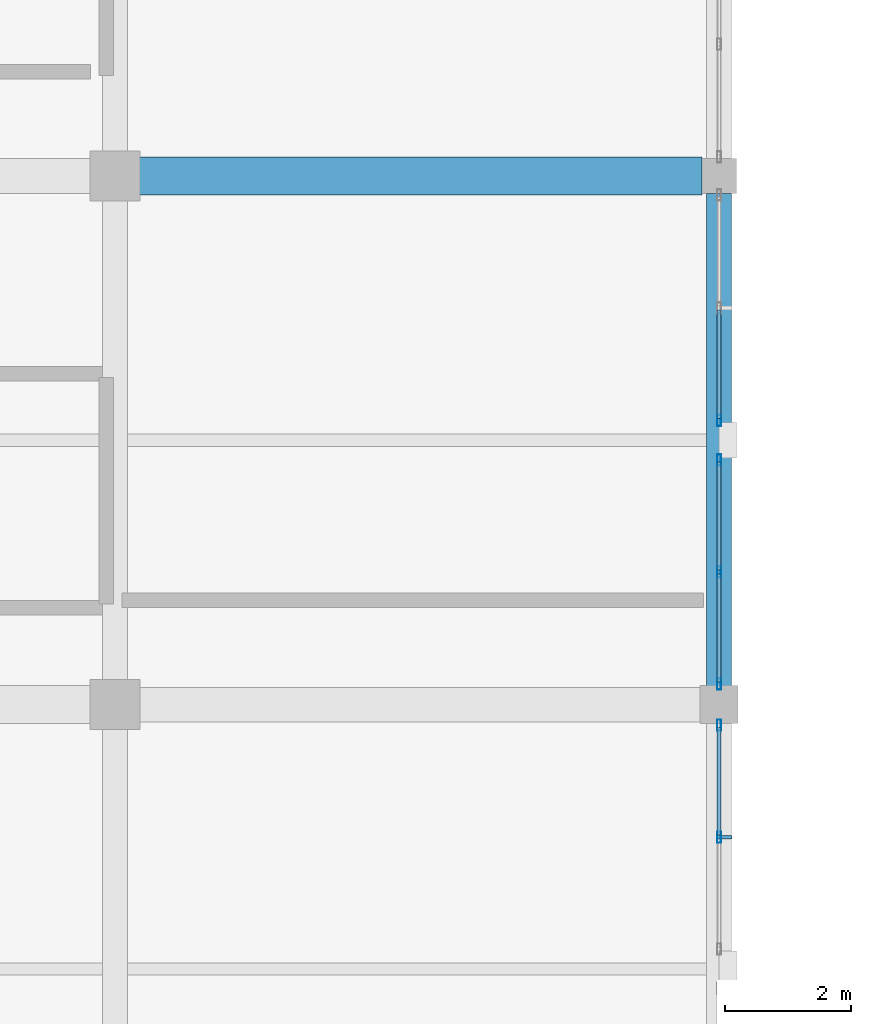
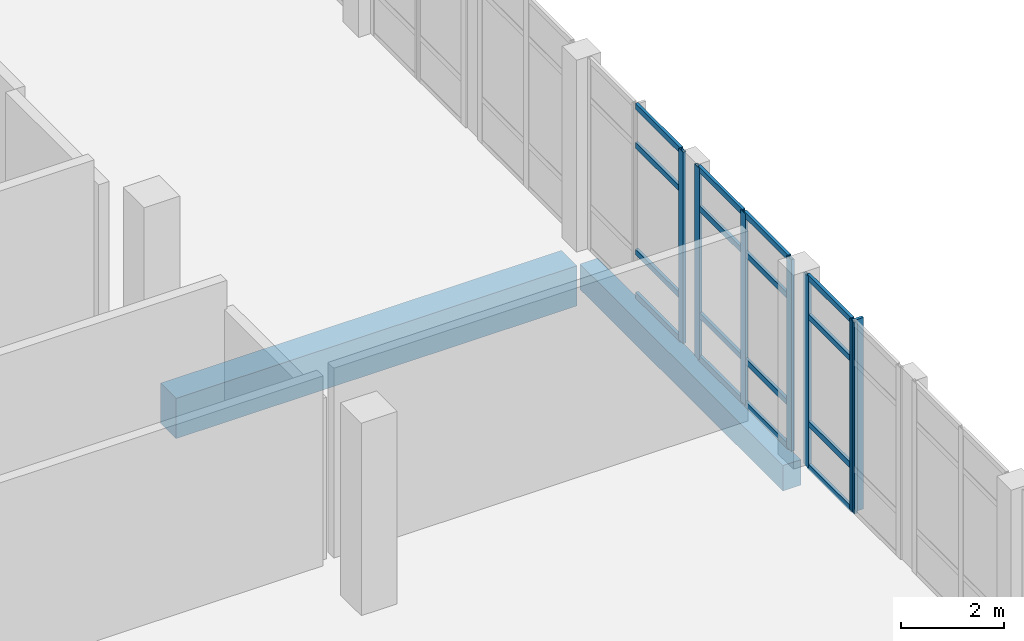
# One storey, part 67 of 102: 23 members, 2 beams, 3 elements without a shape of their own.
"""IFC4 building model written with IfcOpenShell, lengths in metres."""

from ifc_helpers import new_model, si_unit, direction, frame, origin, origin_2d, place, context, subcontext, project, spatial, rectangle, hollow_rectangle, extrude, material, layer, layer_set, material_profile, profile_set, type_object, element, aggregate, save


model = new_model("IFC4")

# Units and contexts
model_context = context("Model", 3, precision=1e-05, world=origin(), true_north=direction((0.0, 1.0)))
body_context = subcontext(model_context, "Body", "Model", "MODEL_VIEW")
ifc_project = project(units=[si_unit("LENGTHUNIT", "METRE"), si_unit("AREAUNIT", "SQUARE_METRE"), si_unit("VOLUMEUNIT", "CUBIC_METRE"), si_unit("PLANEANGLEUNIT", "RADIAN"), si_unit("MASSUNIT", "GRAM", prefix="KILO")], contexts=[model_context])

# Site, building, storey
site_placement = place(None, origin())
site = spatial("IfcSite", under=ifc_project, at=site_placement, CompositionType="ELEMENT")
building_placement = place(site_placement, origin())
building = spatial("IfcBuilding", under=site, at=building_placement, Name="Lornevale Opera House", CompositionType="ELEMENT")
storey_placement = place(building_placement, frame((0.0, 0.0, 5.39990234375)))
storey = spatial("IfcBuildingStorey", under=building, at=storey_placement, Name="L02", CompositionType="ELEMENT", Elevation=5.39990234375)

# Beams
ifc_material_1 = material(Name="Concrete 35 MPa (CSA A23.1 N)", Category="concrete")
ifc_material_profile_1 = material_profile(ifc_material_1, rectangle(XDim=0.60009765625, YDim=0.949951171875, at=origin_2d()), Name="RC600x950")
ifc_profile_set_1 = profile_set([ifc_material_profile_1], Name="Concrete 35 MPa (CSA A23.1 N)")
beam_type_1 = type_object("IfcBeamType", Name="Concrete Primary Girder 600x950", PredefinedType="USERDEFINED", material=ifc_profile_set_1)
beam_1_placement = place(storey_placement, frame((144.375, 58.800048828125, -0.77490234375), z_axis=(1.0, 0.0, 0.0), x_axis=(0.0, 1.0, 0.0)))
element("IfcBeam", 1, at=beam_1_placement, inside=storey, type_object=beam_type_1, Name="Concrete Primary Girder 600x950 1755", ObjectType="GIRDER", PredefinedType="USERDEFINED", context=body_context, shape_type="SweptSolid", body=[
    extrude(rectangle(XDim=0.60009765625, YDim=0.949951171875, at=origin_2d()), origin(), (0.0, 0.0, 1.0), 8.949951171875),
])
ifc_material_profile_2 = material_profile(ifc_material_1, rectangle(XDim=0.39990234375, YDim=0.60009765625, at=origin_2d()), Name="RC400x600")
ifc_profile_set_2 = profile_set([ifc_material_profile_2], Name="Concrete 35 MPa (CSA A23.1 N)")
beam_type_2 = type_object("IfcBeamType", Name="Concrete Spandrel Beam 400x600", PredefinedType="SPANDREL", material=ifc_profile_set_2)
beam_2_placement = place(storey_placement, frame((153.60009765625, 50.675048828125, -0.599853515625), z_axis=(0.0, 1.0, 0.0), x_axis=(-1.0, 0.0, 0.0)))
element("IfcBeam", 2, at=beam_2_placement, inside=storey, type_object=beam_type_2, Name="Concrete Spandrel Beam 400x600 1974", PredefinedType="SPANDREL", context=body_context, shape_type="SweptSolid", body=[
    extrude(rectangle(XDim=0.39990234375, YDim=0.60009765625, at=origin_2d()), origin(), (0.0, 0.0, 1.0), 7.849853515625),
])

# Curtain wall, members
ifc_material_2 = material(Name="Anodized Oxide-Green Aluminium Framing", Category="aluminium")
ifc_layer = layer(ifc_material_2, 0.179931640625)
ifc_layer_set = layer_set([ifc_layer], Name="Anodized Oxide-Green Aluminium Framing")
curtain_wall_type = type_object("IfcCurtainWallType", Name="Promenade Gallery Curtain Wall M1800", PredefinedType="NOTDEFINED", material=ifc_layer_set)
curtain_wall_1_placement = place(storey_placement, origin())
curtain_wall_1 = element("IfcCurtainWall", 3, at=curtain_wall_1_placement, inside=storey, type_object=curtain_wall_type, Name="Promenade Gallery Curtain Wall M1800 CW-084", PredefinedType="NOTDEFINED")
ifc_material_profile_3 = material_profile(ifc_material_2, hollow_rectangle(XDim=0.06494140625, YDim=0.179931640625, WallThickness=0.0048828125, at=origin_2d()), Name="ALU65x180x5")
ifc_profile_set_3 = profile_set([ifc_material_profile_3], Name="Anodized Oxide-Green Aluminium Framing")
member_type_1 = type_object("IfcMemberType", Name="Curtain Wall Mullion 65x180", PredefinedType="MULLION", material=ifc_profile_set_3)
member_1_placement = place(storey_placement, frame((153.60009765625, 50.071533203125, 0.0), z_axis=(0.0, 0.0, 1.0), x_axis=(1.0, 0.0, 0.0)))
member_1 = element("IfcMember", 4, at=member_1_placement, type_object=member_type_1, Name="Curtain Wall Mullion 65x180 CW1684", PredefinedType="MULLION", context=body_context, shape_type="SweptSolid", body=[
    extrude(hollow_rectangle(XDim=0.06494140625, YDim=0.179931640625, WallThickness=0.0048828125, at=origin_2d()), origin(), (0.0, 0.0, 1.0), 4.52001953125),
])
member_2_placement = place(storey_placement, frame((153.60009765625, 48.2919921875, 0.0), z_axis=(0.0, 0.0, 1.0), x_axis=(1.0, 0.0, 0.0)))
member_2 = element("IfcMember", 5, at=member_2_placement, type_object=member_type_1, Name="Curtain Wall Mullion 65x180 CW1685", PredefinedType="MULLION", context=body_context, shape_type="SweptSolid", body=[
    extrude(hollow_rectangle(XDim=0.06494140625, YDim=0.179931640625, WallThickness=0.0048828125, at=origin_2d()), origin(), (0.0, 0.0, 1.0), 4.52001953125),
])

# Curtain wall, member
curtain_wall_2_placement = place(storey_placement, origin())
curtain_wall_2 = element("IfcCurtainWall", 6, at=curtain_wall_2_placement, inside=storey, type_object=curtain_wall_type, Name="Promenade Gallery Curtain Wall M1800 CW-086", PredefinedType="NOTDEFINED")
member_3_placement = place(storey_placement, frame((153.60009765625, 54.91259765625, 0.0), z_axis=(0.0, 0.0, 1.0), x_axis=(1.0, 0.0, 0.0)))
member_3 = element("IfcMember", 7, at=member_3_placement, type_object=member_type_1, Name="Curtain Wall Mullion 65x180 CW1720", PredefinedType="MULLION", context=body_context, shape_type="SweptSolid", body=[
    extrude(hollow_rectangle(XDim=0.06494140625, YDim=0.179931640625, WallThickness=0.0048828125, at=origin_2d()), origin(), (0.0, 0.0, 1.0), 4.52001953125),
])

# Curtain wall, members
curtain_wall_3_placement = place(storey_placement, origin())
curtain_wall_3 = element("IfcCurtainWall", 8, at=curtain_wall_3_placement, inside=storey, type_object=curtain_wall_type, Name="Promenade Gallery Curtain Wall M1800 CW-087", PredefinedType="NOTDEFINED")
member_4_placement = place(storey_placement, frame((153.60009765625, 54.28759765625, 0.0), z_axis=(0.0, 0.0, 1.0), x_axis=(1.0, 0.0, 0.0)))
member_4 = element("IfcMember", 9, at=member_4_placement, type_object=member_type_1, Name="Curtain Wall Mullion 65x180 CW1735", PredefinedType="MULLION", context=body_context, shape_type="SweptSolid", body=[
    extrude(hollow_rectangle(XDim=0.06494140625, YDim=0.179931640625, WallThickness=0.0048828125, at=origin_2d()), origin(), (0.0, 0.0, 1.0), 4.52001953125),
])
member_5_placement = place(storey_placement, frame((153.60009765625, 52.508056640625, 0.0), z_axis=(0.0, 0.0, 1.0), x_axis=(1.0, 0.0, 0.0)))
member_5 = element("IfcMember", 10, at=member_5_placement, type_object=member_type_1, Name="Curtain Wall Mullion 65x180 CW1736", PredefinedType="MULLION", context=body_context, shape_type="SweptSolid", body=[
    extrude(hollow_rectangle(XDim=0.06494140625, YDim=0.179931640625, WallThickness=0.0048828125, at=origin_2d()), origin(), (0.0, 0.0, 1.0), 4.52001953125),
])
member_6_placement = place(storey_placement, frame((153.60009765625, 50.728515625, 0.0), z_axis=(0.0, 0.0, 1.0), x_axis=(1.0, 0.0, 0.0)))
member_6 = element("IfcMember", 11, at=member_6_placement, type_object=member_type_1, Name="Curtain Wall Mullion 65x180 CW1737", PredefinedType="MULLION", context=body_context, shape_type="SweptSolid", body=[
    extrude(hollow_rectangle(XDim=0.06494140625, YDim=0.179931640625, WallThickness=0.0048828125, at=origin_2d()), origin(), (0.0, 0.0, 1.0), 4.52001953125),
])

# Member
ifc_material_profile_4 = material_profile(ifc_material_2, hollow_rectangle(XDim=0.06494140625, YDim=0.135009765625, WallThickness=0.00390625, at=origin_2d()), Name="ALU65x135x4")
ifc_profile_set_4 = profile_set([ifc_material_profile_4], Name="Anodized Oxide-Green Aluminium Framing")
member_type_2 = type_object("IfcMemberType", Name="Curtain Wall Transom 65x135", PredefinedType="USERDEFINED", material=ifc_profile_set_4)
member_7_placement = place(storey_placement, frame((153.60009765625, 50.0390625, 0.03271484375), z_axis=(0.0, -1.0, 0.0), x_axis=(1.0, 0.0, 0.0)))
member_7 = element("IfcMember", 12, at=member_7_placement, type_object=member_type_2, Name="Curtain Wall Transom 65x135 CW1687", ObjectType="TRANSOM", PredefinedType="USERDEFINED", context=body_context, shape_type="SweptSolid", body=[
    extrude(hollow_rectangle(XDim=0.06494140625, YDim=0.135009765625, WallThickness=0.00390625, at=origin_2d()), origin(), (0.0, 0.0, 1.0), 1.714599609375),
])

member_8_placement = place(storey_placement, frame((153.60009765625, 50.0390625, 1.050048828125), z_axis=(0.0, -1.0, 0.0), x_axis=(1.0, 0.0, 0.0)))
member_8 = element("IfcMember", 13, at=member_8_placement, type_object=member_type_2, Name="Curtain Wall Transom 65x135 CW1688", ObjectType="TRANSOM", PredefinedType="USERDEFINED", context=body_context, shape_type="SweptSolid", body=[
    extrude(hollow_rectangle(XDim=0.06494140625, YDim=0.135009765625, WallThickness=0.00390625, at=origin_2d()), origin(), (0.0, 0.0, 1.0), 1.714599609375),
])

member_9_placement = place(storey_placement, frame((153.60009765625, 50.0390625, 3.570068359375), z_axis=(0.0, -1.0, 0.0), x_axis=(1.0, 0.0, 0.0)))
member_9 = element("IfcMember", 14, at=member_9_placement, type_object=member_type_2, Name="Curtain Wall Transom 65x135 CW1689", ObjectType="TRANSOM", PredefinedType="USERDEFINED", context=body_context, shape_type="SweptSolid", body=[
    extrude(hollow_rectangle(XDim=0.06494140625, YDim=0.135009765625, WallThickness=0.00390625, at=origin_2d()), origin(), (0.0, 0.0, 1.0), 1.714599609375),
])

member_10_placement = place(storey_placement, frame((153.60009765625, 50.0390625, 4.487548828125), z_axis=(0.0, -1.0, 0.0), x_axis=(1.0, 0.0, 0.0)))
member_10 = element("IfcMember", 15, at=member_10_placement, type_object=member_type_2, Name="Curtain Wall Transom 65x135 CW1690", ObjectType="TRANSOM", PredefinedType="USERDEFINED", context=body_context, shape_type="SweptSolid", body=[
    extrude(hollow_rectangle(XDim=0.06494140625, YDim=0.135009765625, WallThickness=0.00390625, at=origin_2d()), origin(), (0.0, 0.0, 1.0), 1.714599609375),
])

member_11_placement = place(storey_placement, frame((153.60009765625, 56.672119140625, 0.03271484375), z_axis=(0.0, -1.0, 0.0), x_axis=(1.0, 0.0, 0.0)))
member_11 = element("IfcMember", 16, at=member_11_placement, type_object=member_type_2, Name="Curtain Wall Transom 65x135 CW1728", ObjectType="TRANSOM", PredefinedType="USERDEFINED", context=body_context, shape_type="SweptSolid", body=[
    extrude(hollow_rectangle(XDim=0.06494140625, YDim=0.135009765625, WallThickness=0.00390625, at=origin_2d()), origin(), (0.0, 0.0, 1.0), 1.72705078125),
])

member_12_placement = place(storey_placement, frame((153.60009765625, 56.672119140625, 1.050048828125), z_axis=(0.0, -1.0, 0.0), x_axis=(1.0, 0.0, 0.0)))
member_12 = element("IfcMember", 17, at=member_12_placement, type_object=member_type_2, Name="Curtain Wall Transom 65x135 CW1729", ObjectType="TRANSOM", PredefinedType="USERDEFINED", context=body_context, shape_type="SweptSolid", body=[
    extrude(hollow_rectangle(XDim=0.06494140625, YDim=0.135009765625, WallThickness=0.00390625, at=origin_2d()), origin(), (0.0, 0.0, 1.0), 1.72705078125),
])

member_13_placement = place(storey_placement, frame((153.60009765625, 56.672119140625, 3.570068359375), z_axis=(0.0, -1.0, 0.0), x_axis=(1.0, 0.0, 0.0)))
member_13 = element("IfcMember", 18, at=member_13_placement, type_object=member_type_2, Name="Curtain Wall Transom 65x135 CW1730", ObjectType="TRANSOM", PredefinedType="USERDEFINED", context=body_context, shape_type="SweptSolid", body=[
    extrude(hollow_rectangle(XDim=0.06494140625, YDim=0.135009765625, WallThickness=0.00390625, at=origin_2d()), origin(), (0.0, 0.0, 1.0), 1.72705078125),
])

member_14_placement = place(storey_placement, frame((153.60009765625, 56.672119140625, 4.487548828125), z_axis=(0.0, -1.0, 0.0), x_axis=(1.0, 0.0, 0.0)))
member_14 = element("IfcMember", 19, at=member_14_placement, type_object=member_type_2, Name="Curtain Wall Transom 65x135 CW1731", ObjectType="TRANSOM", PredefinedType="USERDEFINED", context=body_context, shape_type="SweptSolid", body=[
    extrude(hollow_rectangle(XDim=0.06494140625, YDim=0.135009765625, WallThickness=0.00390625, at=origin_2d()), origin(), (0.0, 0.0, 1.0), 1.72705078125),
])

aggregate(curtain_wall_2, [member_3, member_11, member_12, member_13, member_14])

member_15_placement = place(storey_placement, frame((153.60009765625, 54.2548828125, 0.03271484375), z_axis=(0.0, -1.0, 0.0), x_axis=(1.0, 0.0, 0.0)))
member_15 = element("IfcMember", 20, at=member_15_placement, type_object=member_type_2, Name="Curtain Wall Transom 65x135 CW1738", ObjectType="TRANSOM", PredefinedType="USERDEFINED", context=body_context, shape_type="SweptSolid", body=[
    extrude(hollow_rectangle(XDim=0.06494140625, YDim=0.135009765625, WallThickness=0.00390625, at=origin_2d()), origin(), (0.0, 0.0, 1.0), 1.71435546875),
])

member_16_placement = place(storey_placement, frame((153.60009765625, 54.2548828125, 1.050048828125), z_axis=(0.0, -1.0, 0.0), x_axis=(1.0, 0.0, 0.0)))
member_16 = element("IfcMember", 21, at=member_16_placement, type_object=member_type_2, Name="Curtain Wall Transom 65x135 CW1739", ObjectType="TRANSOM", PredefinedType="USERDEFINED", context=body_context, shape_type="SweptSolid", body=[
    extrude(hollow_rectangle(XDim=0.06494140625, YDim=0.135009765625, WallThickness=0.00390625, at=origin_2d()), origin(), (0.0, 0.0, 1.0), 1.71435546875),
])

member_17_placement = place(storey_placement, frame((153.60009765625, 54.2548828125, 3.570068359375), z_axis=(0.0, -1.0, 0.0), x_axis=(1.0, 0.0, 0.0)))
member_17 = element("IfcMember", 22, at=member_17_placement, type_object=member_type_2, Name="Curtain Wall Transom 65x135 CW1740", ObjectType="TRANSOM", PredefinedType="USERDEFINED", context=body_context, shape_type="SweptSolid", body=[
    extrude(hollow_rectangle(XDim=0.06494140625, YDim=0.135009765625, WallThickness=0.00390625, at=origin_2d()), origin(), (0.0, 0.0, 1.0), 1.71435546875),
])

member_18_placement = place(storey_placement, frame((153.60009765625, 54.2548828125, 4.487548828125), z_axis=(0.0, -1.0, 0.0), x_axis=(1.0, 0.0, 0.0)))
member_18 = element("IfcMember", 23, at=member_18_placement, type_object=member_type_2, Name="Curtain Wall Transom 65x135 CW1741", ObjectType="TRANSOM", PredefinedType="USERDEFINED", context=body_context, shape_type="SweptSolid", body=[
    extrude(hollow_rectangle(XDim=0.06494140625, YDim=0.135009765625, WallThickness=0.00390625, at=origin_2d()), origin(), (0.0, 0.0, 1.0), 1.71435546875),
])

member_19_placement = place(storey_placement, frame((153.60009765625, 52.4755859375, 0.03271484375), z_axis=(0.0, -1.0, 0.0), x_axis=(1.0, 0.0, 0.0)))
member_19 = element("IfcMember", 24, at=member_19_placement, type_object=member_type_2, Name="Curtain Wall Transom 65x135 CW1745", ObjectType="TRANSOM", PredefinedType="USERDEFINED", context=body_context, shape_type="SweptSolid", body=[
    extrude(hollow_rectangle(XDim=0.06494140625, YDim=0.135009765625, WallThickness=0.00390625, at=origin_2d()), origin(), (0.0, 0.0, 1.0), 1.714599609375),
])

member_20_placement = place(storey_placement, frame((153.60009765625, 52.4755859375, 1.050048828125), z_axis=(0.0, -1.0, 0.0), x_axis=(1.0, 0.0, 0.0)))
member_20 = element("IfcMember", 25, at=member_20_placement, type_object=member_type_2, Name="Curtain Wall Transom 65x135 CW1746", ObjectType="TRANSOM", PredefinedType="USERDEFINED", context=body_context, shape_type="SweptSolid", body=[
    extrude(hollow_rectangle(XDim=0.06494140625, YDim=0.135009765625, WallThickness=0.00390625, at=origin_2d()), origin(), (0.0, 0.0, 1.0), 1.714599609375),
])

member_21_placement = place(storey_placement, frame((153.60009765625, 52.4755859375, 3.570068359375), z_axis=(0.0, -1.0, 0.0), x_axis=(1.0, 0.0, 0.0)))
member_21 = element("IfcMember", 26, at=member_21_placement, type_object=member_type_2, Name="Curtain Wall Transom 65x135 CW1747", ObjectType="TRANSOM", PredefinedType="USERDEFINED", context=body_context, shape_type="SweptSolid", body=[
    extrude(hollow_rectangle(XDim=0.06494140625, YDim=0.135009765625, WallThickness=0.00390625, at=origin_2d()), origin(), (0.0, 0.0, 1.0), 1.714599609375),
])

member_22_placement = place(storey_placement, frame((153.60009765625, 52.4755859375, 4.487548828125), z_axis=(0.0, -1.0, 0.0), x_axis=(1.0, 0.0, 0.0)))
member_22 = element("IfcMember", 27, at=member_22_placement, type_object=member_type_2, Name="Curtain Wall Transom 65x135 CW1748", ObjectType="TRANSOM", PredefinedType="USERDEFINED", context=body_context, shape_type="SweptSolid", body=[
    extrude(hollow_rectangle(XDim=0.06494140625, YDim=0.135009765625, WallThickness=0.00390625, at=origin_2d()), origin(), (0.0, 0.0, 1.0), 1.714599609375),
])

aggregate(curtain_wall_3, [member_4, member_5, member_6, member_15, member_16, member_17, member_18, member_19, member_20, member_21, member_22])

ifc_material_3 = material(Name="Architectural Bronze Solar Louvre Alloy", Category="metal")
ifc_material_profile_5 = material_profile(ifc_material_3, rectangle(XDim=0.06005859375, YDim=0.239990234375, at=origin_2d()), Name="FIN60x240")
ifc_profile_set_5 = profile_set([ifc_material_profile_5], Name="Architectural Bronze Solar Louvre Alloy")
member_type_3 = type_object("IfcMemberType", Name="Solar Shading Fin 60x240", PredefinedType="USERDEFINED", material=ifc_profile_set_5)
member_23_placement = place(storey_placement, frame((153.68408203125, 48.2919921875, 0.0), z_axis=(0.0, 0.0, 1.0), x_axis=(0.0, -1.0, 0.0)))
member_23 = element("IfcMember", 28, at=member_23_placement, type_object=member_type_3, Name="Solar Shading Fin 60x240 FIN0037", ObjectType="SOLAR FIN", PredefinedType="USERDEFINED", context=body_context, shape_type="SweptSolid", body=[
    extrude(rectangle(XDim=0.06005859375, YDim=0.239990234375, at=origin_2d()), origin(), (0.0, 0.0, 1.0), 4.52001953125),
])

aggregate(curtain_wall_1, [member_1, member_2, member_7, member_8, member_9, member_10, member_23])

save(model, "model.ifc")
